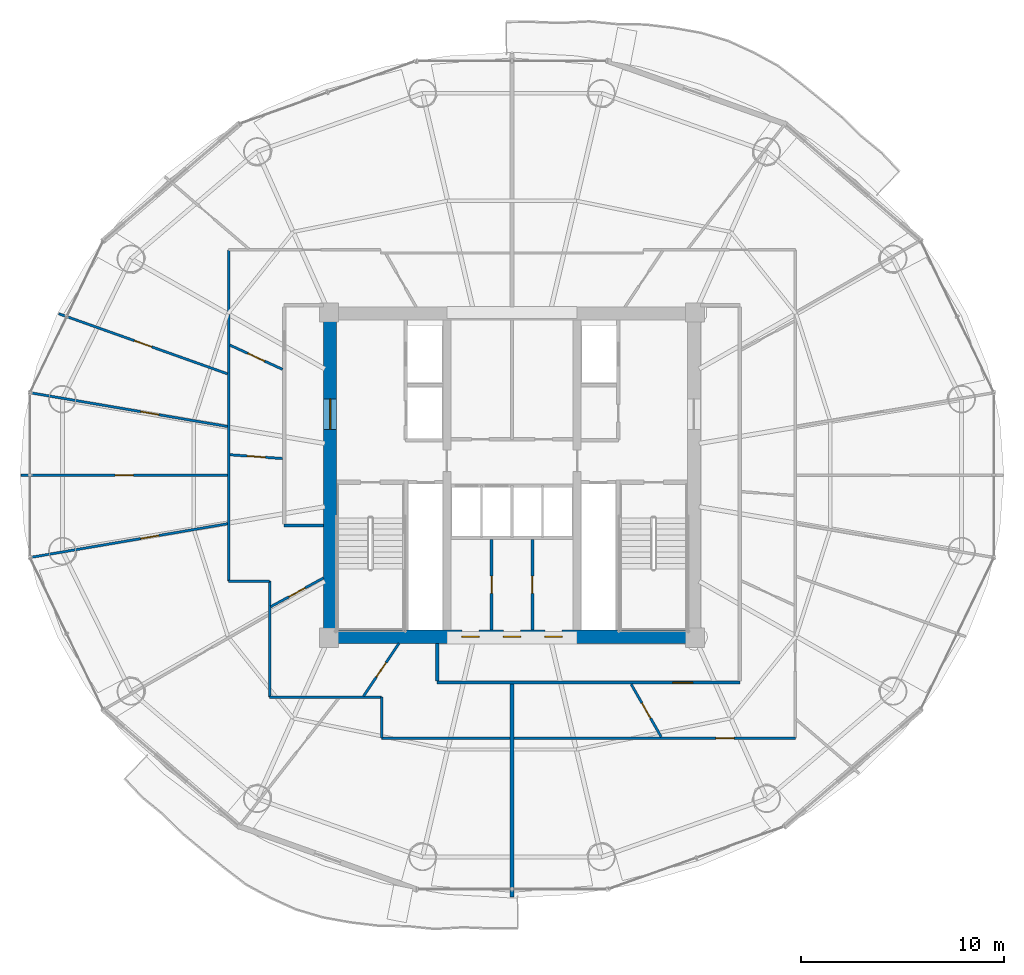
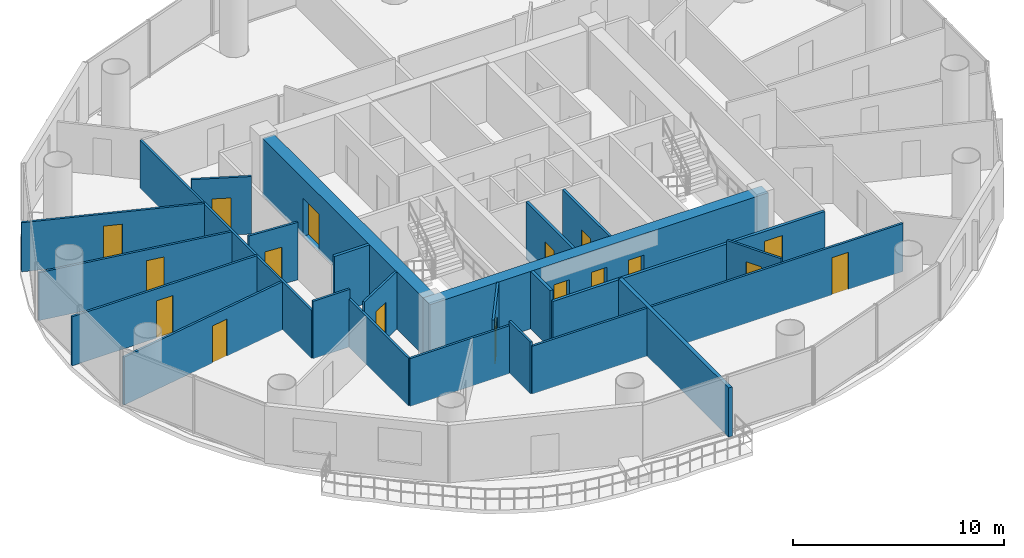
# One storey, part 20 of 26: 24 walls, 17 doors, 17 openings.
"""IFC4 building model written with IfcOpenShell, lengths in metres."""

from ifc_helpers import new_model, si_unit, direction, frame, frame_2d, origin, place, context, subcontext, project, spatial, rectangle, extrude, source, transform, mapped, material, layer, layer_set, type_object, element, fill, save


model = new_model("IFC4")

# Units and contexts
model_context = context("Model", 3, precision=1e-05, world=origin(), true_north=direction((-0.2419218956, 0.970295726276)))
body_context = subcontext(model_context, "Body", "Model", "MODEL_VIEW")
ifc_project = project(units=[si_unit("LENGTHUNIT", "METRE"), si_unit("AREAUNIT", "SQUARE_METRE"), si_unit("VOLUMEUNIT", "CUBIC_METRE"), si_unit("PLANEANGLEUNIT", "RADIAN"), si_unit("MASSUNIT", "GRAM", prefix="KILO")], contexts=[model_context])

# Site, building, storey
site_placement = place(None, origin())
site = spatial("IfcSite", under=ifc_project, at=site_placement, CompositionType="ELEMENT")
building_placement = place(site_placement, origin())
building = spatial("IfcBuilding", under=site, at=building_placement, Name="Cobrevalo Terracotta Tower", CompositionType="ELEMENT")
storey_placement = place(building_placement, frame((0.0, 0.0, 167.800048828125)))
storey = spatial("IfcBuildingStorey", under=building, at=storey_placement, Name="L44", CompositionType="ELEMENT", Elevation=167.800048828125)

# Wall, openings, doors
ifc_material_1 = material(Name="Concrete C55", Category="concrete")
ifc_layer_1 = layer(ifc_material_1, 0.64990234375)
ifc_layer_set_1 = layer_set([ifc_layer_1], Name="Concrete C55")
wall_type_1 = type_object("IfcWallType", Name="Core shear wall 650 mm Concrete C55", PredefinedType="SHEAR", material=ifc_layer_set_1)
wall_1_placement = place(storey_placement, frame((28.72509765625, 18.85009765625, 0.0), z_axis=(0.0, 0.0, 1.0), x_axis=(1.0, 0.0, 0.0)))
wall_1 = element("IfcWall", 1, at=wall_1_placement, inside=storey, type_object=wall_type_1, Name="L44 south core shear wall", PredefinedType="SHEAR", context=body_context, shape_type="SweptSolid", body=[
    extrude(rectangle(XDim=18.5498046875, YDim=0.64990234375, at=frame_2d((9.27490234375, 0.0))), origin(), (0.0, 0.0, 1.0), 3.329833984375),
])
opening_1_placement = place(wall_1_placement, frame((6.81005859375, 0.0, 0.0)))
opening_1 = element("IfcOpeningElement", 2, at=opening_1_placement, cuts=wall_1, Name="Opening ID-22", PredefinedType="OPENING", context=body_context, shape_type="SweptSolid", body=[
    extrude(rectangle(XDim=0.85009765625, YDim=2.10009765625, at=frame_2d((0.425048828125, 1.050048828125))), frame((0.0, 0.3349609375, 0.0), z_axis=(0.0, -1.0, 0.0), x_axis=(1.0, 0.0, 0.0)), (0.0, 0.0, 1.0), 0.669921875),
])
opening_2_placement = place(wall_1_placement, frame((8.85009765625, 0.0, 0.0)))
opening_2 = element("IfcOpeningElement", 3, at=opening_2_placement, cuts=wall_1, Name="Opening ID-22", PredefinedType="OPENING", context=body_context, shape_type="SweptSolid", body=[
    extrude(rectangle(XDim=0.85009765625, YDim=2.10009765625, at=frame_2d((0.425048828125, 1.050048828125))), frame((0.0, 0.3349609375, 0.0), z_axis=(0.0, -1.0, 0.0), x_axis=(1.0, 0.0, 0.0)), (0.0, 0.0, 1.0), 0.669921875),
])
opening_3_placement = place(wall_1_placement, frame((10.889892578125, 0.0, 0.0)))
opening_3 = element("IfcOpeningElement", 4, at=opening_3_placement, cuts=wall_1, Name="Opening ID-22", PredefinedType="OPENING", context=body_context, shape_type="SweptSolid", body=[
    extrude(rectangle(XDim=0.85009765625, YDim=2.10009765625, at=frame_2d((0.425048828125, 1.050048828125))), frame((0.0, 0.3349609375, 0.0), z_axis=(0.0, -1.0, 0.0), x_axis=(1.0, 0.0, 0.0)), (0.0, 0.0, 1.0), 0.669921875),
])
ifc_material_2 = material(Name="Powder-coated steel", Category="steel")
door_type_1 = type_object("IfcDoorType", Name="Riser shaft & meter closet fire access door 850x2100 EI 60", OperationType="NOTDEFINED", PredefinedType="DOOR", material=ifc_material_2)
shared_shape_1 = source(origin(), body_context, "Body", "SweptSolid", [
    extrude(rectangle(XDim=0.85009765625, YDim=2.10009765625, at=frame_2d((0.425048828125, 1.050048828125))), frame((0.0, 0.02490234375, 0.0), z_axis=(0.0, -1.0, 0.0), x_axis=(1.0, 0.0, 0.0)), (0.0, 0.0, 1.0), 0.050048828125),
])
door_1_placement = place(opening_1_placement, origin())
door_1 = element("IfcDoor", 5, at=door_1_placement, inside=storey, type_object=door_type_1, Name="L44 core south plant door HVAC Supply Air Plant", OperationType="SINGLE_SWING_RIGHT", OverallHeight=2.10009765625, OverallWidth=0.85009765625, PredefinedType="DOOR", context=body_context, shape_type="MappedRepresentation", body=[
    mapped(shared_shape_1, transform((0.0, 0.0, 0.0), scale=1.0)),
])
fill(opening_1, door_1)
door_2_placement = place(opening_2_placement, origin())
door_2 = element("IfcDoor", 6, at=door_2_placement, inside=storey, type_object=door_type_1, Name="L44 core south plant door Refuse Chute Store Room", OperationType="SINGLE_SWING_RIGHT", OverallHeight=2.10009765625, OverallWidth=0.85009765625, PredefinedType="DOOR", context=body_context, shape_type="MappedRepresentation", body=[
    mapped(shared_shape_1, transform((0.0, 0.0, 0.0), scale=1.0)),
])
fill(opening_2, door_2)
door_3_placement = place(opening_3_placement, origin())
door_3 = element("IfcDoor", 7, at=door_3_placement, inside=storey, type_object=door_type_1, Name="L44 core south plant door Hydronic Pump Manifold Plant", OperationType="SINGLE_SWING_RIGHT", OverallHeight=2.10009765625, OverallWidth=0.85009765625, PredefinedType="DOOR", context=body_context, shape_type="MappedRepresentation", body=[
    mapped(shared_shape_1, transform((0.0, 0.0, 0.0), scale=1.0)),
])
fill(opening_3, door_3)

# Wall, opening, door
wall_2_placement = place(storey_placement, frame((29.050048828125, 19.175048828125, 0.0), z_axis=(0.0, 0.0, 1.0), x_axis=(0.0, 1.0, 0.0)))
wall_2 = element("IfcWall", 8, at=wall_2_placement, inside=storey, type_object=wall_type_1, Name="L44 west core shear wall", PredefinedType="SHEAR", context=body_context, shape_type="SweptSolid", body=[
    extrude(rectangle(XDim=15.25, YDim=0.64990234375, at=frame_2d((7.625, 0.0))), origin(), (0.0, 0.0, 1.0), 3.329833984375),
])
opening_4_placement = place(wall_2_placement, frame((9.875, 0.0, 0.0)))
opening_4 = element("IfcOpeningElement", 9, at=opening_4_placement, cuts=wall_2, Name="Opening ID-14", PredefinedType="OPENING", context=body_context, shape_type="SweptSolid", body=[
    extrude(rectangle(XDim=1.5, YDim=2.199951171875, at=frame_2d((0.75, 1.10009765625))), frame((0.0, 0.3349609375, 0.0), z_axis=(0.0, -1.0, 0.0), x_axis=(1.0, 0.0, 0.0)), (0.0, 0.0, 1.0), 0.669921875),
])
ifc_material_3 = material(Name="Galvanized fire-rated steel", Category="steel")
door_type_2 = type_object("IfcDoorType", Name="Core cross-lobby double fire door 1500x2200 EI 90", OperationType="NOTDEFINED", PredefinedType="DOOR", material=ifc_material_3)
shared_shape_2 = source(origin(), body_context, "Body", "SweptSolid", [
    extrude(rectangle(XDim=1.5, YDim=2.199951171875, at=frame_2d((0.75, 1.10009765625))), frame((0.0, 0.02490234375, 0.0), z_axis=(0.0, -1.0, 0.0), x_axis=(1.0, 0.0, 0.0)), (0.0, 0.0, 1.0), 0.050048828125),
])
door_4_placement = place(opening_4_placement, origin())
door_4 = element("IfcDoor", 10, at=door_4_placement, inside=storey, type_object=door_type_2, Name="L44 west firefighting lobby entrance door", OperationType="DOUBLE_DOOR_SINGLE_SWING", OverallHeight=2.199951171875, OverallWidth=1.5, PredefinedType="DOOR", context=body_context, shape_type="MappedRepresentation", body=[
    mapped(shared_shape_2, transform((0.0, 0.0, 0.0), scale=1.0)),
])
fill(opening_4, door_4)

# Wall
ifc_material_4 = material(Name="Gypsum board on steel stud", Category="steel")
ifc_layer_2 = layer(ifc_material_4, 0.159912109375)
ifc_layer_set_2 = layer_set([ifc_layer_2], Name="Gypsum board on steel stud")
wall_type_2 = type_object("IfcWallType", Name="Fire-rated corridor acoustic partition wall 160 mm", PredefinedType="PARTITIONING", material=ifc_layer_set_2)
wall_3_placement = place(storey_placement, frame((26.794921875, 24.320068359375, 0.0), z_axis=(0.0, 0.0, 1.0), x_axis=(1.0, 0.0, 0.0)))
element("IfcWall", 11, at=wall_3_placement, inside=storey, type_object=wall_type_2, Name="L44 interior partition IW-L44-COR-WS-CAP", PredefinedType="PARTITIONING", context=body_context, shape_type="SweptSolid", body=[
    extrude(rectangle(XDim=1.93017578125, YDim=0.159912109375, at=frame_2d((0.965087890625, 0.0))), origin(), (0.0, 0.0, 1.0), 3.329833984375),
])

# Wall, opening, door
wall_4_placement = place(storey_placement, frame((34.320068359375, 16.594970703125, 0.0), z_axis=(0.0, 0.0, 1.0), x_axis=(1.0, 0.0, 0.0)))
wall_4 = element("IfcWall", 12, at=wall_4_placement, inside=storey, type_object=wall_type_2, Name="L44 interior partition IW-L44-COR-S", PredefinedType="PARTITIONING", context=body_context, shape_type="SweptSolid", body=[
    extrude(rectangle(XDim=14.885009765625, YDim=0.159912109375, at=frame_2d((7.4423828125, 0.0))), origin(), (0.0, 0.0, 1.0), 2.77587890625),
])
opening_5_placement = place(wall_4_placement, frame((11.589599609375, 0.0, 0.0)))
opening_5 = element("IfcOpeningElement", 13, at=opening_5_placement, cuts=wall_4, Name="Opening ID-05", PredefinedType="OPENING", context=body_context, shape_type="SweptSolid", body=[
    extrude(rectangle(XDim=0.97998046875, YDim=2.199951171875, at=frame_2d((0.489990234375, 1.10009765625))), frame((0.0, 0.08984375, 0.0), z_axis=(0.0, -1.0, 0.0), x_axis=(1.0, 0.0, 0.0)), (0.0, 0.0, 1.0), 0.179931640625),
])
ifc_material_5 = material(Name="Solid hardwood timber", Category="wood")
door_type_3 = type_object("IfcDoorType", Name="Residence entrance fire-rated acoustic timber door 980x2200 EI 60", OperationType="NOTDEFINED", PredefinedType="DOOR", material=ifc_material_5)
shared_shape_3 = source(origin(), body_context, "Body", "SweptSolid", [
    extrude(rectangle(XDim=0.97998046875, YDim=2.199951171875, at=frame_2d((0.489990234375, 1.10009765625))), frame((0.0, 0.02490234375, 0.0), z_axis=(0.0, -1.0, 0.0), x_axis=(1.0, 0.0, 0.0)), (0.0, 0.0, 1.0), 0.050048828125),
])
door_5_placement = place(opening_5_placement, origin())
door_5 = element("IfcDoor", 14, at=door_5_placement, inside=storey, type_object=door_type_3, Name="Flat L44B fire-rated apartment entrance door", OperationType="SINGLE_SWING_LEFT", OverallHeight=2.199951171875, OverallWidth=0.97998046875, PredefinedType="DOOR", context=body_context, shape_type="MappedRepresentation", body=[
    mapped(shared_shape_3, transform((0.0, 0.0, 0.0), scale=1.0)),
])
fill(opening_5, door_5)

# Walls
wall_5_placement = place(storey_placement, frame((34.320068359375, 16.675048828125, 0.0), z_axis=(0.0, 0.0, 1.0), x_axis=(0.0, 1.0, 0.0)))
element("IfcWall", 15, at=wall_5_placement, inside=storey, type_object=wall_type_2, Name="L44 interior partition IW-L44-COR-SW-CAP", PredefinedType="PARTITIONING", context=body_context, shape_type="SweptSolid", body=[
    extrude(rectangle(XDim=1.849853515625, YDim=0.159912109375, at=frame_2d((0.9248046875, 0.0))), origin(), (0.0, 0.0, 1.0), 3.329833984375),
])
ifc_material_6 = material(Name="Autoclaved aerated concrete block", Category="concrete")
ifc_layer_3 = layer(ifc_material_6, 0.199951171875)
ifc_layer_set_3 = layer_set([ifc_layer_3], Name="Autoclaved aerated concrete block")
wall_type_3 = type_object("IfcWallType", Name="Fire-rated stair, shaft & demising masonry wall 200 mm", PredefinedType="PARTITIONING", material=ifc_layer_set_3)
wall_6_placement = place(storey_placement, frame((38.0, 16.514892578125, 0.0), z_axis=(0.0, 0.0, 1.0), x_axis=(0.0, -1.0, 0.0)))
element("IfcWall", 16, at=wall_6_placement, inside=storey, type_object=wall_type_3, Name="L44 interior partition IW-L44-DEM-2", PredefinedType="PARTITIONING", context=body_context, shape_type="SweptSolid", body=[
    extrude(rectangle(XDim=10.454833984375, YDim=0.199951171875, at=frame_2d((5.2275390625, 0.0))), origin(), (0.0, 0.0, 1.0), 2.845947265625),
])

# Wall, opening, door
ifc_layer_4 = layer(ifc_material_6, 0.139892578125)
ifc_layer_set_4 = layer_set([ifc_layer_4], Name="Autoclaved aerated concrete block")
wall_type_4 = type_object("IfcWallType", Name="Moisture-resistant wet-room & core service partition 140 mm", PredefinedType="PARTITIONING", material=ifc_layer_set_4)
wall_7_placement = place(storey_placement, frame((37.0, 19.175048828125, 0.0), z_axis=(0.0, 0.0, 1.0), x_axis=(0.0, 1.0, 0.0)))
wall_7 = element("IfcWall", 17, at=wall_7_placement, inside=storey, type_object=wall_type_4, Name="L44 interior partition IW-L44-KVS-V1", PredefinedType="PARTITIONING", context=body_context, shape_type="SweptSolid", body=[
    extrude(rectangle(XDim=4.46484375, YDim=0.139892578125, at=frame_2d((2.232421875, 0.0))), origin(), (0.0, 0.0, 1.0), 3.329833984375),
])
opening_6_placement = place(wall_7_placement, frame((1.8076171875, 0.0, 0.0)))
opening_6 = element("IfcOpeningElement", 18, at=opening_6_placement, cuts=wall_7, Name="Opening ID-22", PredefinedType="OPENING", context=body_context, shape_type="SweptSolid", body=[
    extrude(rectangle(XDim=0.85009765625, YDim=2.10009765625, at=frame_2d((0.425048828125, 1.050048828125))), frame((0.0, 0.080078125, 0.0), z_axis=(0.0, -1.0, 0.0), x_axis=(1.0, 0.0, 0.0)), (0.0, 0.0, 1.0), 0.159912109375),
])
door_6_placement = place(opening_6_placement, origin())
door_6 = element("IfcDoor", 19, at=door_6_placement, inside=storey, type_object=door_type_1, Name="L44 core KVS-V1 inner door", OperationType="SINGLE_SWING_LEFT", OverallHeight=2.10009765625, OverallWidth=0.85009765625, PredefinedType="DOOR", context=body_context, shape_type="MappedRepresentation", body=[
    mapped(shared_shape_1, transform((0.0, 0.0, 0.0), scale=1.0)),
])
fill(opening_6, door_6)

wall_8_placement = place(storey_placement, frame((39.0, 19.175048828125, 0.0), z_axis=(0.0, 0.0, 1.0), x_axis=(0.0, 1.0, 0.0)))
wall_8 = element("IfcWall", 20, at=wall_8_placement, inside=storey, type_object=wall_type_4, Name="L44 interior partition IW-L44-KVS-V2", PredefinedType="PARTITIONING", context=body_context, shape_type="SweptSolid", body=[
    extrude(rectangle(XDim=4.46484375, YDim=0.139892578125, at=frame_2d((2.232421875, 0.0))), origin(), (0.0, 0.0, 1.0), 3.329833984375),
])
opening_7_placement = place(wall_8_placement, frame((1.8076171875, 0.0, 0.0)))
opening_7 = element("IfcOpeningElement", 21, at=opening_7_placement, cuts=wall_8, Name="Opening ID-22", PredefinedType="OPENING", context=body_context, shape_type="SweptSolid", body=[
    extrude(rectangle(XDim=0.85009765625, YDim=2.10009765625, at=frame_2d((0.425048828125, 1.050048828125))), frame((0.0, 0.080078125, 0.0), z_axis=(0.0, -1.0, 0.0), x_axis=(1.0, 0.0, 0.0)), (0.0, 0.0, 1.0), 0.159912109375),
])
door_7_placement = place(opening_7_placement, origin())
door_7 = element("IfcDoor", 22, at=door_7_placement, inside=storey, type_object=door_type_1, Name="L44 core KVS-V2 inner door", OperationType="SINGLE_SWING_LEFT", OverallHeight=2.10009765625, OverallWidth=0.85009765625, PredefinedType="DOOR", context=body_context, shape_type="MappedRepresentation", body=[
    mapped(shared_shape_1, transform((0.0, 0.0, 0.0), scale=1.0)),
])
fill(opening_7, door_7)

# Walls
ifc_layer_5 = layer(ifc_material_4, 0.1201171875)
ifc_layer_set_5 = layer_set([ifc_layer_5], Name="Gypsum board on steel stud")
wall_type_5 = type_object("IfcWallType", Name="Residential internal acoustic stud partition 120 mm", PredefinedType="PARTITIONING", material=ifc_layer_set_5)
wall_9_placement = place(storey_placement, frame((37.89794921875, 13.864990234375, 0.0), z_axis=(0.0, 0.0, 1.0), x_axis=(-1.0, 0.0, 0.0)))
element("IfcWall", 23, at=wall_9_placement, inside=storey, type_object=wall_type_5, Name="L44 interior partition IW-L44-U1-RING0_0", PredefinedType="PARTITIONING", context=body_context, shape_type="SweptSolid", body=[
    extrude(rectangle(XDim=6.307861328125, YDim=0.1201171875, at=frame_2d((3.15380859375, 0.0))), origin(), (0.0, 0.0, 1.0), 2.77587890625),
])
wall_10_placement = place(storey_placement, frame((31.590087890625, 13.864990234375, 0.0), z_axis=(0.0, 0.0, 1.0), x_axis=(0.0, 1.0, 0.0)))
element("IfcWall", 24, at=wall_10_placement, inside=storey, type_object=wall_type_5, Name="L44 interior partition IW-L44-U1-RING1_0", PredefinedType="PARTITIONING", context=body_context, shape_type="SweptSolid", body=[
    extrude(rectangle(XDim=2.010009765625, YDim=0.1201171875, at=frame_2d((1.0048828125, 0.0))), origin(), (0.0, 0.0, 1.0), 3.0048828125),
])
wall_11_placement = place(storey_placement, frame((31.590087890625, 15.875, 0.0), z_axis=(0.0, 0.0, 1.0), x_axis=(-1.0, 0.0, 0.0)))
element("IfcWall", 25, at=wall_11_placement, inside=storey, type_object=wall_type_5, Name="L44 interior partition IW-L44-U1-RING2_0", PredefinedType="PARTITIONING", context=body_context, shape_type="SweptSolid", body=[
    extrude(rectangle(XDim=5.51513671875, YDim=0.1201171875, at=frame_2d((2.757568359375, 0.0))), origin(), (0.0, 0.0, 1.0), 2.77587890625),
])
wall_12_placement = place(storey_placement, frame((26.074951171875, 15.875, 0.0), z_axis=(0.0, 0.0, 1.0), x_axis=(0.0, 1.0, 0.0)))
element("IfcWall", 26, at=wall_12_placement, inside=storey, type_object=wall_type_5, Name="L44 interior partition IW-L44-U1-RING3_0", PredefinedType="PARTITIONING", context=body_context, shape_type="SweptSolid", body=[
    extrude(rectangle(XDim=5.715087890625, YDim=0.1201171875, at=frame_2d((2.857421875, 0.0))), origin(), (0.0, 0.0, 1.0), 2.77587890625),
])
wall_13_placement = place(storey_placement, frame((26.074951171875, 21.590087890625, 0.0), z_axis=(0.0, 0.0, 1.0), x_axis=(-1.0, 0.0, 0.0)))
element("IfcWall", 27, at=wall_13_placement, inside=storey, type_object=wall_type_5, Name="L44 interior partition IW-L44-U1-RING4_0", PredefinedType="PARTITIONING", context=body_context, shape_type="SweptSolid", body=[
    extrude(rectangle(XDim=2.010009765625, YDim=0.1201171875, at=frame_2d((1.0048828125, 0.0))), origin(), (0.0, 0.0, 1.0), 3.329833984375),
])
wall_14_placement = place(storey_placement, frame((24.06494140625, 21.590087890625, 0.0), z_axis=(0.0, 0.0, 1.0), x_axis=(0.0, 1.0, 0.0)))
element("IfcWall", 28, at=wall_14_placement, inside=storey, type_object=wall_type_5, Name="L44 interior partition IW-L44-U1-RING5_0", PredefinedType="PARTITIONING", context=body_context, shape_type="SweptSolid", body=[
    extrude(rectangle(XDim=16.294921875, YDim=0.1201171875, at=frame_2d((8.1474609375, 0.0))), origin(), (0.0, 0.0, 1.0), 2.77587890625),
])

# Wall, opening, door
wall_15_placement = place(storey_placement, frame((24.006591796875, 31.781982421875, 0.0), z_axis=(0.0, 0.0, 1.0), x_axis=(-0.942077868165, 0.335394231187, 0.0)))
wall_15 = element("IfcWall", 29, at=wall_15_placement, inside=storey, type_object=wall_type_5, Name="L44 interior partition IW-L44-U1-ORAD2", PredefinedType="PARTITIONING", context=body_context, shape_type="SweptSolid", body=[
    extrude(rectangle(XDim=8.816650390625, YDim=0.1201171875, at=frame_2d((4.408203125, 0.0))), origin(), (0.0, 0.0, 1.0), 2.845947265625),
])
opening_8_placement = place(wall_15_placement, frame((3.95849609375, 0.0, 0.0)))
opening_8 = element("IfcOpeningElement", 30, at=opening_8_placement, cuts=wall_15, Name="Opening ID-12", PredefinedType="OPENING", context=body_context, shape_type="SweptSolid", body=[
    extrude(rectangle(XDim=0.89990234375, YDim=2.14990234375, at=frame_2d((0.449951171875, 1.074951171875))), frame((0.0, 0.070068359375, 0.0), z_axis=(0.0, -1.0, 0.0), x_axis=(1.0, 0.0, 0.0)), (0.0, 0.0, 1.0), 0.14013671875),
])
ifc_material_7 = material(Name="Engineered timber", Category="wood")
door_type_4 = type_object("IfcDoorType", Name="Internal residence & suite timber door 900x2150", OperationType="NOTDEFINED", PredefinedType="DOOR", material=ifc_material_7)
shared_shape_4 = source(origin(), body_context, "Body", "SweptSolid", [
    extrude(rectangle(XDim=0.89990234375, YDim=2.14990234375, at=frame_2d((0.449951171875, 1.074951171875))), frame((0.0, 0.02490234375, 0.0), z_axis=(0.0, -1.0, 0.0), x_axis=(1.0, 0.0, 0.0)), (0.0, 0.0, 1.0), 0.050048828125),
])
door_8_placement = place(opening_8_placement, origin())
door_8 = element("IfcDoor", 31, at=door_8_placement, inside=storey, type_object=door_type_4, Name="Flat L44A Principal Guest Bedroom internal door", OperationType="SINGLE_SWING_LEFT", OverallHeight=2.14990234375, OverallWidth=0.89990234375, PredefinedType="DOOR", context=body_context, shape_type="MappedRepresentation", body=[
    mapped(shared_shape_4, transform((0.0, 0.0, 0.0), scale=1.0)),
])
fill(opening_8, door_8)

wall_16_placement = place(storey_placement, frame((24.00390625, 29.19287109375, 0.0), z_axis=(0.0, 0.0, 1.0), x_axis=(-0.985698378271, 0.168519159369, 0.0)))
wall_16 = element("IfcWall", 32, at=wall_16_placement, inside=storey, type_object=wall_type_5, Name="L44 interior partition IW-L44-U1-ORAD3M1", PredefinedType="PARTITIONING", context=body_context, shape_type="SweptSolid", body=[
    extrude(rectangle(XDim=9.768798828125, YDim=0.1201171875, at=frame_2d((4.88427734375, 0.0))), origin(), (0.0, 0.0, 1.0), 2.77587890625),
])
opening_9_placement = place(wall_16_placement, frame((3.427734375, 0.0, 0.0)))
opening_9 = element("IfcOpeningElement", 33, at=opening_9_placement, cuts=wall_16, Name="Opening ID-12", PredefinedType="OPENING", context=body_context, shape_type="SweptSolid", body=[
    extrude(rectangle(XDim=0.89990234375, YDim=2.14990234375, at=frame_2d((0.449951171875, 1.074951171875))), frame((0.0, 0.070068359375, 0.0), z_axis=(0.0, -1.0, 0.0), x_axis=(1.0, 0.0, 0.0)), (0.0, 0.0, 1.0), 0.14013671875),
])
door_9_placement = place(opening_9_placement, origin())
door_9 = element("IfcDoor", 34, at=door_9_placement, inside=storey, type_object=door_type_4, Name="Flat L44A North Bedroom internal door", OperationType="SINGLE_SWING_RIGHT", OverallHeight=2.14990234375, OverallWidth=0.89990234375, PredefinedType="DOOR", context=body_context, shape_type="MappedRepresentation", body=[
    mapped(shared_shape_4, transform((0.0, 0.0, 0.0), scale=1.0)),
])
fill(opening_9, door_9)

wall_17_placement = place(storey_placement, frame((24.0029296875, 26.800048828125, 0.0), z_axis=(0.0, 0.0, 1.0), x_axis=(-1.0, 0.0, 0.0)))
wall_17 = element("IfcWall", 35, at=wall_17_placement, inside=storey, type_object=wall_type_5, Name="L44 interior partition IW-L44-U1-ORAD3", PredefinedType="PARTITIONING", context=body_context, shape_type="SweptSolid", body=[
    extrude(rectangle(XDim=10.142822265625, YDim=0.1201171875, at=frame_2d((5.0712890625, 0.0))), origin(), (0.0, 0.0, 1.0), 2.845947265625),
])
opening_10_placement = place(wall_17_placement, frame((4.62158203125, 0.0, 0.0)))
opening_10 = element("IfcOpeningElement", 36, at=opening_10_placement, cuts=wall_17, Name="Opening ID-12", PredefinedType="OPENING", context=body_context, shape_type="SweptSolid", body=[
    extrude(rectangle(XDim=0.89990234375, YDim=2.14990234375, at=frame_2d((0.449951171875, 1.074951171875))), frame((0.0, 0.070068359375, 0.0), z_axis=(0.0, -1.0, 0.0), x_axis=(1.0, 0.0, 0.0)), (0.0, 0.0, 1.0), 0.14013671875),
])
door_10_placement = place(opening_10_placement, origin())
door_10 = element("IfcDoor", 37, at=door_10_placement, inside=storey, type_object=door_type_4, Name="Flat L44A South Bedroom internal door", OperationType="SINGLE_SWING_LEFT", OverallHeight=2.14990234375, OverallWidth=0.89990234375, PredefinedType="DOOR", context=body_context, shape_type="MappedRepresentation", body=[
    mapped(shared_shape_4, transform((0.0, 0.0, 0.0), scale=1.0)),
])
fill(opening_10, door_10)

wall_18_placement = place(storey_placement, frame((24.00390625, 24.4072265625, 0.0), z_axis=(0.0, 0.0, 1.0), x_axis=(-0.985698378271, -0.168519159369, 0.0)))
wall_18 = element("IfcWall", 38, at=wall_18_placement, inside=storey, type_object=wall_type_5, Name="L44 interior partition IW-L44-U1-ORAD4M1", PredefinedType="PARTITIONING", context=body_context, shape_type="SweptSolid", body=[
    extrude(rectangle(XDim=9.768798828125, YDim=0.1201171875, at=frame_2d((4.88427734375, 0.0))), origin(), (0.0, 0.0, 1.0), 2.77587890625),
])
opening_11_placement = place(wall_18_placement, frame((3.42822265625, 0.0, 0.0)))
opening_11 = element("IfcOpeningElement", 39, at=opening_11_placement, cuts=wall_18, Name="Opening ID-12", PredefinedType="OPENING", context=body_context, shape_type="SweptSolid", body=[
    extrude(rectangle(XDim=0.89990234375, YDim=2.14990234375, at=frame_2d((0.449951171875, 1.074951171875))), frame((0.0, 0.070068359375, 0.0), z_axis=(0.0, -1.0, 0.0), x_axis=(1.0, 0.0, 0.0)), (0.0, 0.0, 1.0), 0.14013671875),
])
door_11_placement = place(opening_11_placement, origin())
door_11 = element("IfcDoor", 40, at=door_11_placement, inside=storey, type_object=door_type_4, Name="Flat L44A Penthouse Family Lounge internal door", OperationType="SINGLE_SWING_RIGHT", OverallHeight=2.14990234375, OverallWidth=0.89990234375, PredefinedType="DOOR", context=body_context, shape_type="MappedRepresentation", body=[
    mapped(shared_shape_4, transform((0.0, 0.0, 0.0), scale=1.0)),
])
fill(opening_11, door_11)

wall_19_placement = place(storey_placement, frame((26.715087890625, 32.000732421875, 0.0), z_axis=(0.0, 0.0, 1.0), x_axis=(-0.90819942915, 0.418537688735, 0.0)))
wall_19 = element("IfcWall", 41, at=wall_19_placement, inside=storey, type_object=wall_type_5, Name="L44 interior partition IW-L44-U1-IRAD2", PredefinedType="PARTITIONING", context=body_context, shape_type="SweptSolid", body=[
    extrude(rectangle(XDim=2.85595703125, YDim=0.1201171875, at=frame_2d((1.427978515625, 0.0))), origin(), (0.0, 0.0, 1.0), 3.329833984375),
])
opening_12_placement = place(wall_19_placement, frame((0.977783203125, 0.0, 0.0)))
opening_12 = element("IfcOpeningElement", 42, at=opening_12_placement, cuts=wall_19, Name="Opening ID-12", PredefinedType="OPENING", context=body_context, shape_type="SweptSolid", body=[
    extrude(rectangle(XDim=0.89990234375, YDim=2.14990234375, at=frame_2d((0.449951171875, 1.074951171875))), frame((0.0, 0.070068359375, 0.0), z_axis=(0.0, -1.0, 0.0), x_axis=(1.0, 0.0, 0.0)), (0.0, 0.0, 1.0), 0.14013671875),
])
door_12_placement = place(opening_12_placement, origin())
door_12 = element("IfcDoor", 43, at=door_12_placement, inside=storey, type_object=door_type_4, Name="Flat L44A Kitchen internal door", OperationType="SINGLE_SWING_RIGHT", OverallHeight=2.14990234375, OverallWidth=0.89990234375, PredefinedType="DOOR", context=body_context, shape_type="MappedRepresentation", body=[
    mapped(shared_shape_4, transform((0.0, 0.0, 0.0), scale=1.0)),
])
fill(opening_12, door_12)

wall_20_placement = place(storey_placement, frame((26.715087890625, 27.614501953125, 0.0), z_axis=(0.0, 0.0, 1.0), x_axis=(-0.997406375801, 0.071975839778, 0.0)))
wall_20 = element("IfcWall", 44, at=wall_20_placement, inside=storey, type_object=wall_type_5, Name="L44 interior partition IW-L44-U1-IRAD3", PredefinedType="PARTITIONING", context=body_context, shape_type="SweptSolid", body=[
    extrude(rectangle(XDim=2.594970703125, YDim=0.1201171875, at=frame_2d((1.29736328125, 0.0))), origin(), (0.0, 0.0, 1.0), 3.329833984375),
])
opening_13_placement = place(wall_20_placement, frame((0.847412109375, 0.0, 0.0)))
opening_13 = element("IfcOpeningElement", 45, at=opening_13_placement, cuts=wall_20, Name="Opening ID-12", PredefinedType="OPENING", context=body_context, shape_type="SweptSolid", body=[
    extrude(rectangle(XDim=0.89990234375, YDim=2.14990234375, at=frame_2d((0.449951171875, 1.074951171875))), frame((0.0, 0.070068359375, 0.0), z_axis=(0.0, -1.0, 0.0), x_axis=(1.0, 0.0, 0.0)), (0.0, 0.0, 1.0), 0.14013671875),
])
door_13_placement = place(opening_13_placement, origin())
door_13 = element("IfcDoor", 46, at=door_13_placement, inside=storey, type_object=door_type_4, Name="Flat L44A Private Library Meeting Room internal door", OperationType="SINGLE_SWING_LEFT", OverallHeight=2.14990234375, OverallWidth=0.89990234375, PredefinedType="DOOR", context=body_context, shape_type="MappedRepresentation", body=[
    mapped(shared_shape_4, transform((0.0, 0.0, 0.0), scale=1.0)),
])
fill(opening_13, door_13)

wall_21_placement = place(storey_placement, frame((28.72314453125, 21.739990234375, 0.0), z_axis=(0.0, 0.0, 1.0), x_axis=(-0.877892414948, -0.47885792024, 0.0)))
wall_21 = element("IfcWall", 47, at=wall_21_placement, inside=storey, type_object=wall_type_5, Name="L44 interior partition IW-L44-U1-IRAD4", PredefinedType="PARTITIONING", context=body_context, shape_type="SweptSolid", body=[
    extrude(rectangle(XDim=2.95458984375, YDim=0.1201171875, at=frame_2d((1.477294921875, 0.0))), origin(), (0.0, 0.0, 1.0), 3.329833984375),
])
opening_14_placement = place(wall_21_placement, frame((1.02734375, 0.0, 0.0)))
opening_14 = element("IfcOpeningElement", 48, at=opening_14_placement, cuts=wall_21, Name="Opening ID-12", PredefinedType="OPENING", context=body_context, shape_type="SweptSolid", body=[
    extrude(rectangle(XDim=0.89990234375, YDim=2.14990234375, at=frame_2d((0.449951171875, 1.074951171875))), frame((0.0, 0.070068359375, 0.0), z_axis=(0.0, -1.0, 0.0), x_axis=(1.0, 0.0, 0.0)), (0.0, 0.0, 1.0), 0.14013671875),
])
door_14_placement = place(opening_14_placement, origin())
door_14 = element("IfcDoor", 49, at=door_14_placement, inside=storey, type_object=door_type_4, Name="Flat L44A Utility Closet internal door", OperationType="SINGLE_SWING_RIGHT", OverallHeight=2.14990234375, OverallWidth=0.89990234375, PredefinedType="DOOR", context=body_context, shape_type="MappedRepresentation", body=[
    mapped(shared_shape_4, transform((0.0, 0.0, 0.0), scale=1.0)),
])
fill(opening_14, door_14)

wall_22_placement = place(storey_placement, frame((32.44140625, 18.52490234375, 0.0), z_axis=(0.0, 0.0, 1.0), x_axis=(-0.557594690071, -0.830113342625, 0.0)))
wall_22 = element("IfcWall", 50, at=wall_22_placement, inside=storey, type_object=wall_type_5, Name="L44 interior partition IW-L44-U1-IRAD5", PredefinedType="PARTITIONING", context=body_context, shape_type="SweptSolid", body=[
    extrude(rectangle(XDim=3.130126953125, YDim=0.1201171875, at=frame_2d((1.56494140625, 0.0))), origin(), (0.0, 0.0, 1.0), 3.329833984375),
])
opening_15_placement = place(wall_22_placement, frame((1.13525390625, 0.0, 0.0)))
opening_15 = element("IfcOpeningElement", 51, at=opening_15_placement, cuts=wall_22, Name="Opening ID-19", PredefinedType="OPENING", context=body_context, shape_type="SweptSolid", body=[
    extrude(rectangle(XDim=0.860107421875, YDim=2.14990234375, at=frame_2d((0.43017578125, 1.074951171875))), frame((0.0, 0.070068359375, 0.0), z_axis=(0.0, -1.0, 0.0), x_axis=(1.0, 0.0, 0.0)), (0.0, 0.0, 1.0), 0.14013671875),
])
ifc_material_8 = material(Name="Moisture-sealed timber", Category="wood")
door_type_5 = type_object("IfcDoorType", Name="Suite bathroom internal timber door 860x2150", OperationType="NOTDEFINED", PredefinedType="DOOR", material=ifc_material_8)
shared_shape_5 = source(origin(), body_context, "Body", "SweptSolid", [
    extrude(rectangle(XDim=0.860107421875, YDim=2.14990234375, at=frame_2d((0.43017578125, 1.074951171875))), frame((0.0, 0.02490234375, 0.0), z_axis=(0.0, -1.0, 0.0), x_axis=(1.0, 0.0, 0.0)), (0.0, 0.0, 1.0), 0.050048828125),
])
door_15_placement = place(opening_15_placement, origin())
door_15 = element("IfcDoor", 52, at=door_15_placement, inside=storey, type_object=door_type_5, Name="Flat L44A Guest Bathroom internal door", OperationType="SINGLE_SWING_LEFT", OverallHeight=2.14990234375, OverallWidth=0.860107421875, PredefinedType="DOOR", context=body_context, shape_type="MappedRepresentation", body=[
    mapped(shared_shape_5, transform((0.0, 0.0, 0.0), scale=1.0)),
])
fill(opening_15, door_15)

wall_23_placement = place(storey_placement, frame((51.93505859375, 13.864990234375, 0.0), z_axis=(0.0, 0.0, 1.0), x_axis=(-1.0, 0.0, 0.0)))
wall_23 = element("IfcWall", 53, at=wall_23_placement, inside=storey, type_object=wall_type_5, Name="L44 interior partition IW-L44-U2-RING4_0", PredefinedType="PARTITIONING", context=body_context, shape_type="SweptSolid", body=[
    extrude(rectangle(XDim=13.8330078125, YDim=0.1201171875, at=frame_2d((6.91650390625, 0.0))), origin(), (0.0, 0.0, 1.0), 2.77587890625),
])
opening_16_placement = place(wall_23_placement, frame((3.00927734375, 0.0, 0.0)))
opening_16 = element("IfcOpeningElement", 54, at=opening_16_placement, cuts=wall_23, Name="Opening ID-12", PredefinedType="OPENING", context=body_context, shape_type="SweptSolid", body=[
    extrude(rectangle(XDim=0.89990234375, YDim=2.14990234375, at=frame_2d((0.449951171875, 1.074951171875))), frame((0.0, 0.070068359375, 0.0), z_axis=(0.0, -1.0, 0.0), x_axis=(1.0, 0.0, 0.0)), (0.0, 0.0, 1.0), 0.14013671875),
])
door_16_placement = place(opening_16_placement, origin())
door_16 = element("IfcDoor", 55, at=door_16_placement, inside=storey, type_object=door_type_4, Name="Flat L44B Penthouse Living and Dining Room internal door", OperationType="SINGLE_SWING_LEFT", OverallHeight=2.14990234375, OverallWidth=0.89990234375, PredefinedType="DOOR", context=body_context, shape_type="MappedRepresentation", body=[
    mapped(shared_shape_4, transform((0.0, 0.0, 0.0), scale=1.0)),
])
fill(opening_16, door_16)

wall_24_placement = place(storey_placement, frame((43.862060546875, 16.514892578125, 0.0), z_axis=(0.0, 0.0, 1.0), x_axis=(0.495214761056, -0.868770591372, 0.0)))
wall_24 = element("IfcWall", 56, at=wall_24_placement, inside=storey, type_object=wall_type_5, Name="L44 interior partition IW-L44-U2-IRAD1", PredefinedType="PARTITIONING", context=body_context, shape_type="SweptSolid", body=[
    extrude(rectangle(XDim=2.988037109375, YDim=0.1201171875, at=frame_2d((1.494140625, 0.0))), origin(), (0.0, 0.0, 1.0), 3.0048828125),
])
opening_17_placement = place(wall_24_placement, frame((1.064208984375, 0.0, 0.0)))
opening_17 = element("IfcOpeningElement", 57, at=opening_17_placement, cuts=wall_24, Name="Opening ID-19", PredefinedType="OPENING", context=body_context, shape_type="SweptSolid", body=[
    extrude(rectangle(XDim=0.860107421875, YDim=2.14990234375, at=frame_2d((0.43017578125, 1.074951171875))), frame((0.0, 0.070068359375, 0.0), z_axis=(0.0, -1.0, 0.0), x_axis=(1.0, 0.0, 0.0)), (0.0, 0.0, 1.0), 0.14013671875),
])
door_17_placement = place(opening_17_placement, frame((0.860107421875, 0.0, 0.0), z_axis=(0.0, 0.0, 1.0), x_axis=(-1.0, 0.0, 0.0)))
door_17 = element("IfcDoor", 58, at=door_17_placement, inside=storey, type_object=door_type_5, Name="Flat L44B Primary Bathroom internal door", OperationType="SINGLE_SWING_RIGHT", OverallHeight=2.14990234375, OverallWidth=0.860107421875, PredefinedType="DOOR", context=body_context, shape_type="MappedRepresentation", body=[
    mapped(shared_shape_5, transform((0.0, 0.0, 0.0), scale=1.0)),
])
fill(opening_17, door_17)

save(model, "model.ifc")
